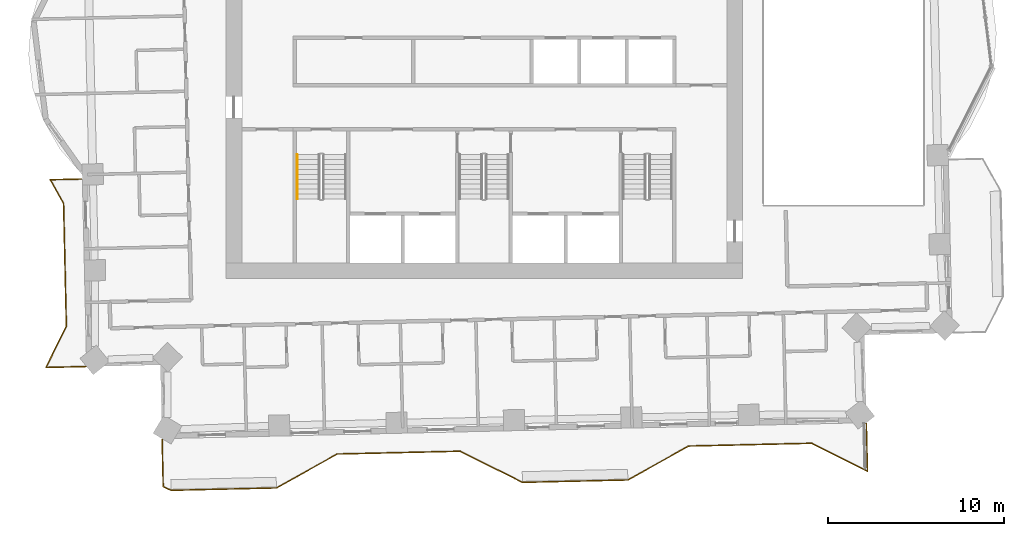
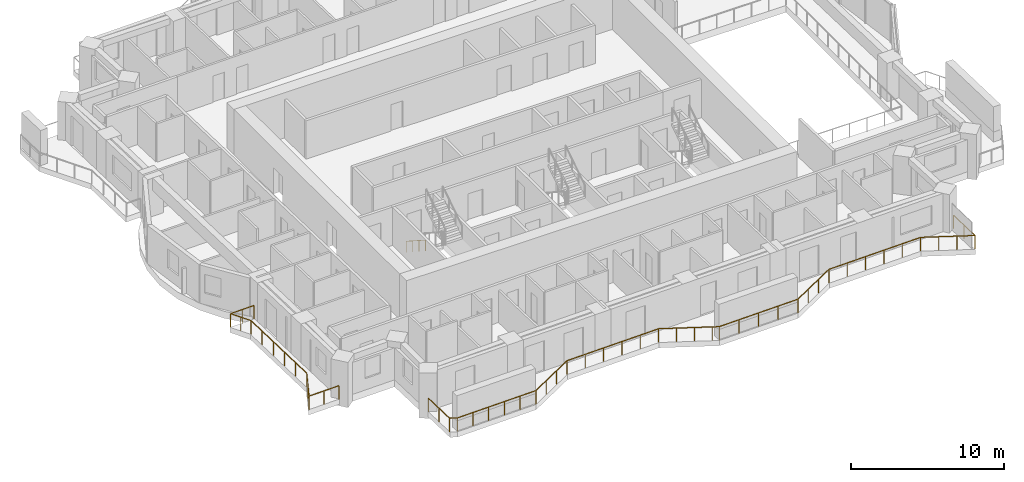
# One storey, part 13 of 16: 3 railings.
"""IFC4 building model written with IfcOpenShell, lengths in metres."""

from ifc_helpers import new_model, si_unit, direction, frame, origin, origin_2d, place, context, subcontext, project, spatial, rectangle, circle, extrude, material, type_object, element, save


model = new_model("IFC4")

# Units and contexts
model_context = context("Model", 3, precision=1e-05, world=origin(), true_north=direction((0.0, 1.0)))
body_context = subcontext(model_context, "Body", "Model", "MODEL_VIEW")
ifc_project = project(units=[si_unit("LENGTHUNIT", "METRE"), si_unit("AREAUNIT", "SQUARE_METRE"), si_unit("VOLUMEUNIT", "CUBIC_METRE"), si_unit("PLANEANGLEUNIT", "RADIAN"), si_unit("MASSUNIT", "GRAM", prefix="KILO")], contexts=[model_context])

# Site, building, storey
site_placement = place(None, origin())
site = spatial("IfcSite", under=ifc_project, at=site_placement, CompositionType="ELEMENT")
building_placement = place(site_placement, origin())
building = spatial("IfcBuilding", under=site, at=building_placement, Name="Mangrove Gate Tower", CompositionType="ELEMENT")
storey_placement = place(building_placement, frame((0.0, 0.0, 189.699951171875)))
storey = spatial("IfcBuildingStorey", under=building, at=storey_placement, Name="L48", CompositionType="ELEMENT", Elevation=189.699951171875)

# Railings
ifc_material_1 = material(Name="Stainless steel grade 316 with laminated glass infill", Category="steel")
railing_type_1 = type_object("IfcRailingType", Name="Balcony guard 1100", PredefinedType="GUARDRAIL", material=ifc_material_1)
railing_1_placement = place(storey_placement, frame((-22.912109375, -6.033935546875, 0.0)))
element("IfcRailing", 1, at=railing_1_placement, inside=storey, type_object=railing_type_1, Name="GUARD L48 W2", PredefinedType="GUARDRAIL", context=body_context, shape_type="SweptSolid", body=[
    extrude(rectangle(XDim=0.048095703125, YDim=0.048095703125, at=origin_2d()), frame((0.0, 0.0, 1.076171875), z_axis=(-0.999748773553, -0.02241405316, 0.0), x_axis=(0.02241405316, -0.999748773553, 0.0)), (0.0, 0.0, 1.0), 1.786376953125),
    extrude(rectangle(XDim=0.048095703125, YDim=0.048095703125, at=origin_2d()), frame((-1.785888671875, -0.0400390625, 1.076171875), z_axis=(0.486962351773, -0.873422960516, 0.0), x_axis=(0.873422960516, 0.486962351773, 0.0)), (0.0, 0.0, 1.0), 1.5546875),
    extrude(rectangle(XDim=0.048095703125, YDim=0.048095703125, at=origin_2d()), frame((-1.02880859375, -1.39794921875, 1.076171875), z_axis=(0.022705559911, -0.999742195543, 0.0), x_axis=(0.999742195543, 0.022705559911, 0.0)), (0.0, 0.0, 1.0), 6.999755859375),
    extrude(rectangle(XDim=0.048095703125, YDim=0.048095703125, at=origin_2d()), frame((-0.869873046875, -8.39599609375, 1.076171875), z_axis=(-0.447063441947, -0.894502252023, 0.0), x_axis=(0.894502252023, -0.447063441947, 0.0)), (0.0, 0.0, 1.0), 2.6015625),
    extrude(rectangle(XDim=0.048095703125, YDim=0.048095703125, at=origin_2d()), frame((-2.032958984375, -10.72314453125, 1.076171875), z_axis=(0.999738891828, 0.022850561644, 0.0), x_axis=(-0.022850561644, 0.999738891828, 0.0)), (0.0, 0.0, 1.0), 2.275634765625),
    extrude(rectangle(XDim=0.0419921875, YDim=0.0419921875, at=origin_2d()), origin(), (0.0, 0.0, 1.0), 1.052001953125),
    extrude(rectangle(XDim=0.0419921875, YDim=0.0419921875, at=origin_2d()), frame((-0.89306640625, -0.02001953125, 0.0)), (0.0, 0.0, 1.0), 1.052001953125),
    extrude(rectangle(XDim=0.0419921875, YDim=0.0419921875, at=origin_2d()), frame((-1.785888671875, -0.0400390625, 0.0)), (0.0, 0.0, 1.0), 1.052001953125),
    extrude(rectangle(XDim=0.0419921875, YDim=0.0419921875, at=origin_2d()), frame((-1.4072265625, -0.718994140625, 0.0)), (0.0, 0.0, 1.0), 1.052001953125),
    extrude(rectangle(XDim=0.0419921875, YDim=0.0419921875, at=origin_2d()), frame((-1.02880859375, -1.39794921875, 0.0)), (0.0, 0.0, 1.0), 1.052001953125),
    extrude(rectangle(XDim=0.0419921875, YDim=0.0419921875, at=origin_2d()), frame((-0.9970703125, -2.797607421875, 0.0)), (0.0, 0.0, 1.0), 1.052001953125),
    extrude(rectangle(XDim=0.0419921875, YDim=0.0419921875, at=origin_2d()), frame((-0.96533203125, -4.197265625, 0.0)), (0.0, 0.0, 1.0), 1.052001953125),
    extrude(rectangle(XDim=0.0419921875, YDim=0.0419921875, at=origin_2d()), frame((-0.933349609375, -5.5966796875, 0.0)), (0.0, 0.0, 1.0), 1.052001953125),
    extrude(rectangle(XDim=0.0419921875, YDim=0.0419921875, at=origin_2d()), frame((-0.901611328125, -6.996337890625, 0.0)), (0.0, 0.0, 1.0), 1.052001953125),
    extrude(rectangle(XDim=0.0419921875, YDim=0.0419921875, at=origin_2d()), frame((-0.869873046875, -8.39599609375, 0.0)), (0.0, 0.0, 1.0), 1.052001953125),
    extrude(rectangle(XDim=0.0419921875, YDim=0.0419921875, at=origin_2d()), frame((-1.451416015625, -9.5595703125, 0.0)), (0.0, 0.0, 1.0), 1.052001953125),
    extrude(rectangle(XDim=0.0419921875, YDim=0.0419921875, at=origin_2d()), frame((-2.032958984375, -10.72314453125, 0.0)), (0.0, 0.0, 1.0), 1.052001953125),
    extrude(rectangle(XDim=0.0419921875, YDim=0.0419921875, at=origin_2d()), frame((-0.8955078125, -10.697265625, 0.0)), (0.0, 0.0, 1.0), 1.052001953125),
    extrude(rectangle(XDim=0.0419921875, YDim=0.0419921875, at=origin_2d()), frame((0.2421875, -10.671142578125, 0.0)), (0.0, 0.0, 1.0), 1.052001953125),
])
railing_2_placement = place(storey_placement, frame((-18.3349609375, -20.847900390625, 0.0)))
element("IfcRailing", 2, at=railing_2_placement, inside=storey, type_object=railing_type_1, Name="GUARD L48 S1", PredefinedType="GUARDRAIL", context=body_context, shape_type="SweptSolid", body=[
    extrude(rectangle(XDim=0.048095703125, YDim=0.048095703125, at=origin_2d()), frame((0.0, 0.0, 1.076171875), z_axis=(0.022793893877, -0.999740185449, 0.0), x_axis=(0.999740185449, 0.022793893877, 0.0)), (0.0, 0.0, 1.0), 2.677734375),
    extrude(rectangle(XDim=0.048095703125, YDim=0.048095703125, at=origin_2d()), frame((0.06103515625, -2.677001953125, 1.076171875), z_axis=(0.894623509466, -0.446820742928, 0.0), x_axis=(0.446820742928, 0.894623509466, 0.0)), (0.0, 0.0, 1.0), 0.497314453125),
    extrude(rectangle(XDim=0.048095703125, YDim=0.048095703125, at=origin_2d()), frame((0.505859375, -2.899169921875, 1.076171875), z_axis=(0.999743178102, 0.022662255828, 0.0), x_axis=(-0.022662255828, 0.999743178102, 0.0)), (0.0, 0.0, 1.0), 6.00048828125),
    extrude(rectangle(XDim=0.048095703125, YDim=0.048095703125, at=origin_2d()), frame((6.5048828125, -2.76318359375, 1.076171875), z_axis=(0.873230657876, 0.487307108654, 0.0), x_axis=(-0.487307108654, 0.873230657876, 0.0)), (0.0, 0.0, 1.0), 3.958984375),
    extrude(rectangle(XDim=0.048095703125, YDim=0.048095703125, at=origin_2d()), frame((9.9619140625, -0.833984375, 1.076171875), z_axis=(0.999742195543, 0.022705559911, 0.0), x_axis=(-0.022705559911, 0.999742195543, 0.0)), (0.0, 0.0, 1.0), 6.999755859375),
    extrude(rectangle(XDim=0.048095703125, YDim=0.048095703125, at=origin_2d()), frame((16.9599609375, -0.675048828125, 1.076171875), z_axis=(0.894413264318, -0.447241447779, 0.0), x_axis=(0.447241447779, 0.894413264318, 0.0)), (0.0, 0.0, 1.0), 3.506103515625),
    extrude(rectangle(XDim=0.048095703125, YDim=0.048095703125, at=origin_2d()), frame((20.095947265625, -2.2431640625, 1.076171875), z_axis=(0.894103592415, -0.447860208135, 0.0), x_axis=(0.447860208135, 0.894103592415, 0.0)), (0.0, 0.0, 1.0), 0.452880859375),
    extrude(rectangle(XDim=0.048095703125, YDim=0.048095703125, at=origin_2d()), frame((20.5009765625, -2.446044921875, 1.076171875), z_axis=(0.999739392852, 0.022828630714, 0.0), x_axis=(-0.022828630714, 0.999739392852, 0.0)), (0.0, 0.0, 1.0), 5.99951171875),
    extrude(rectangle(XDim=0.048095703125, YDim=0.048095703125, at=origin_2d()), frame((26.4990234375, -2.30908203125, 1.076171875), z_axis=(0.873420366986, 0.486967003537, 0.0), x_axis=(-0.486967003537, 0.873420366986, 0.0)), (0.0, 0.0, 1.0), 3.959228515625),
    extrude(rectangle(XDim=0.048095703125, YDim=0.048095703125, at=origin_2d()), frame((29.95703125, -0.381103515625, 1.076171875), z_axis=(0.999742195543, 0.022705559911, 0.0), x_axis=(-0.022705559911, 0.999742195543, 0.0)), (0.0, 0.0, 1.0), 6.999755859375),
    extrude(rectangle(XDim=0.048095703125, YDim=0.048095703125, at=origin_2d()), frame((36.955078125, -0.22216796875, 1.076171875), z_axis=(0.894495919074, -0.447076112938, 0.0), x_axis=(0.447076112938, 0.894495919074, 0.0)), (0.0, 0.0, 1.0), 3.5517578125),
    extrude(rectangle(XDim=0.048095703125, YDim=0.048095703125, at=origin_2d()), frame((40.132080078125, -1.81005859375, 1.076171875), z_axis=(-0.022800930802, 0.999740024984, 0.0), x_axis=(-0.999740024984, -0.022800930802, 0.0)), (0.0, 0.0, 1.0), 2.7197265625),
    extrude(rectangle(XDim=0.0419921875, YDim=0.0419921875, at=origin_2d()), origin(), (0.0, 0.0, 1.0), 1.052001953125),
    extrude(rectangle(XDim=0.0419921875, YDim=0.0419921875, at=origin_2d()), frame((0.030517578125, -1.33837890625, 0.0)), (0.0, 0.0, 1.0), 1.052001953125),
    extrude(rectangle(XDim=0.0419921875, YDim=0.0419921875, at=origin_2d()), frame((0.06103515625, -2.677001953125, 0.0)), (0.0, 0.0, 1.0), 1.052001953125),
    extrude(rectangle(XDim=0.0419921875, YDim=0.0419921875, at=origin_2d()), frame((0.505859375, -2.899169921875, 0.0)), (0.0, 0.0, 1.0), 1.052001953125),
    extrude(rectangle(XDim=0.0419921875, YDim=0.0419921875, at=origin_2d()), frame((1.70556640625, -2.8720703125, 0.0)), (0.0, 0.0, 1.0), 1.052001953125),
    extrude(rectangle(XDim=0.0419921875, YDim=0.0419921875, at=origin_2d()), frame((2.905517578125, -2.8447265625, 0.0)), (0.0, 0.0, 1.0), 1.052001953125),
    extrude(rectangle(XDim=0.0419921875, YDim=0.0419921875, at=origin_2d()), frame((4.105224609375, -2.817626953125, 0.0)), (0.0, 0.0, 1.0), 1.052001953125),
    extrude(rectangle(XDim=0.0419921875, YDim=0.0419921875, at=origin_2d()), frame((5.30517578125, -2.790283203125, 0.0)), (0.0, 0.0, 1.0), 1.052001953125),
    extrude(rectangle(XDim=0.0419921875, YDim=0.0419921875, at=origin_2d()), frame((6.5048828125, -2.76318359375, 0.0)), (0.0, 0.0, 1.0), 1.052001953125),
    extrude(rectangle(XDim=0.0419921875, YDim=0.0419921875, at=origin_2d()), frame((7.6572265625, -2.1201171875, 0.0)), (0.0, 0.0, 1.0), 1.052001953125),
    extrude(rectangle(XDim=0.0419921875, YDim=0.0419921875, at=origin_2d()), frame((8.8095703125, -1.47705078125, 0.0)), (0.0, 0.0, 1.0), 1.052001953125),
    extrude(rectangle(XDim=0.0419921875, YDim=0.0419921875, at=origin_2d()), frame((9.9619140625, -0.833984375, 0.0)), (0.0, 0.0, 1.0), 1.052001953125),
    extrude(rectangle(XDim=0.0419921875, YDim=0.0419921875, at=origin_2d()), frame((11.361572265625, -0.80224609375, 0.0)), (0.0, 0.0, 1.0), 1.052001953125),
    extrude(rectangle(XDim=0.0419921875, YDim=0.0419921875, at=origin_2d()), frame((12.76123046875, -0.7705078125, 0.0)), (0.0, 0.0, 1.0), 1.052001953125),
    extrude(rectangle(XDim=0.0419921875, YDim=0.0419921875, at=origin_2d()), frame((14.16064453125, -0.738525390625, 0.0)), (0.0, 0.0, 1.0), 1.052001953125),
    extrude(rectangle(XDim=0.0419921875, YDim=0.0419921875, at=origin_2d()), frame((15.560302734375, -0.706787109375, 0.0)), (0.0, 0.0, 1.0), 1.052001953125),
    extrude(rectangle(XDim=0.0419921875, YDim=0.0419921875, at=origin_2d()), frame((16.9599609375, -0.675048828125, 0.0)), (0.0, 0.0, 1.0), 1.052001953125),
    extrude(rectangle(XDim=0.0419921875, YDim=0.0419921875, at=origin_2d()), frame((18.00537109375, -1.19775390625, 0.0)), (0.0, 0.0, 1.0), 1.052001953125),
    extrude(rectangle(XDim=0.0419921875, YDim=0.0419921875, at=origin_2d()), frame((19.050537109375, -1.720458984375, 0.0)), (0.0, 0.0, 1.0), 1.052001953125),
    extrude(rectangle(XDim=0.0419921875, YDim=0.0419921875, at=origin_2d()), frame((20.095947265625, -2.2431640625, 0.0)), (0.0, 0.0, 1.0), 1.052001953125),
    extrude(rectangle(XDim=0.0419921875, YDim=0.0419921875, at=origin_2d()), frame((20.5009765625, -2.446044921875, 0.0)), (0.0, 0.0, 1.0), 1.052001953125),
    extrude(rectangle(XDim=0.0419921875, YDim=0.0419921875, at=origin_2d()), frame((22.00048828125, -2.411865234375, 0.0)), (0.0, 0.0, 1.0), 1.052001953125),
    extrude(rectangle(XDim=0.0419921875, YDim=0.0419921875, at=origin_2d()), frame((23.5, -2.37744140625, 0.0)), (0.0, 0.0, 1.0), 1.052001953125),
    extrude(rectangle(XDim=0.0419921875, YDim=0.0419921875, at=origin_2d()), frame((24.99951171875, -2.34326171875, 0.0)), (0.0, 0.0, 1.0), 1.052001953125),
    extrude(rectangle(XDim=0.0419921875, YDim=0.0419921875, at=origin_2d()), frame((26.4990234375, -2.30908203125, 0.0)), (0.0, 0.0, 1.0), 1.052001953125),
    extrude(rectangle(XDim=0.0419921875, YDim=0.0419921875, at=origin_2d()), frame((27.651611328125, -1.66650390625, 0.0)), (0.0, 0.0, 1.0), 1.052001953125),
    extrude(rectangle(XDim=0.0419921875, YDim=0.0419921875, at=origin_2d()), frame((28.804443359375, -1.023681640625, 0.0)), (0.0, 0.0, 1.0), 1.052001953125),
    extrude(rectangle(XDim=0.0419921875, YDim=0.0419921875, at=origin_2d()), frame((29.95703125, -0.381103515625, 0.0)), (0.0, 0.0, 1.0), 1.052001953125),
    extrude(rectangle(XDim=0.0419921875, YDim=0.0419921875, at=origin_2d()), frame((31.356689453125, -0.349365234375, 0.0)), (0.0, 0.0, 1.0), 1.052001953125),
    extrude(rectangle(XDim=0.0419921875, YDim=0.0419921875, at=origin_2d()), frame((32.75634765625, -0.317626953125, 0.0)), (0.0, 0.0, 1.0), 1.052001953125),
    extrude(rectangle(XDim=0.0419921875, YDim=0.0419921875, at=origin_2d()), frame((34.15576171875, -0.28564453125, 0.0)), (0.0, 0.0, 1.0), 1.052001953125),
    extrude(rectangle(XDim=0.0419921875, YDim=0.0419921875, at=origin_2d()), frame((35.555419921875, -0.25390625, 0.0)), (0.0, 0.0, 1.0), 1.052001953125),
    extrude(rectangle(XDim=0.0419921875, YDim=0.0419921875, at=origin_2d()), frame((36.955078125, -0.22216796875, 0.0)), (0.0, 0.0, 1.0), 1.052001953125),
    extrude(rectangle(XDim=0.0419921875, YDim=0.0419921875, at=origin_2d()), frame((38.01416015625, -0.75146484375, 0.0)), (0.0, 0.0, 1.0), 1.052001953125),
    extrude(rectangle(XDim=0.0419921875, YDim=0.0419921875, at=origin_2d()), frame((39.072998046875, -1.28076171875, 0.0)), (0.0, 0.0, 1.0), 1.052001953125),
    extrude(rectangle(XDim=0.0419921875, YDim=0.0419921875, at=origin_2d()), frame((40.132080078125, -1.81005859375, 0.0)), (0.0, 0.0, 1.0), 1.052001953125),
    extrude(rectangle(XDim=0.0419921875, YDim=0.0419921875, at=origin_2d()), frame((40.10107421875, -0.45068359375, 0.0)), (0.0, 0.0, 1.0), 1.052001953125),
    extrude(rectangle(XDim=0.0419921875, YDim=0.0419921875, at=origin_2d()), frame((40.070068359375, 0.908935546875, 0.0)), (0.0, 0.0, 1.0), 1.052001953125),
])
ifc_material_2 = material(Name="Stainless steel 316", Category="steel")
railing_type_2 = type_object("IfcRailingType", Name="Core stair handrail 900", PredefinedType="HANDRAIL", material=ifc_material_2)
railing_3_placement = place(storey_placement, frame((-10.64990234375, -4.64990234375, 0.179931640625)))
element("IfcRailing", 3, at=railing_3_placement, inside=storey, type_object=railing_type_2, Name="L48 ST1 stair handrail 1", PredefinedType="HANDRAIL", context=body_context, shape_type="SweptSolid", body=[
    extrude(circle(Radius=0.02392578125, at=origin_2d()), frame((0.0, 0.0, 0.8759765625), z_axis=(0.0, -0.841162588446, 0.540782303519), x_axis=(1.0, 0.0, 0.0)), (0.0, 0.0, 1.0), 2.995849609375),
    extrude(circle(Radius=0.02099609375, at=origin_2d()), origin(), (0.0, 0.0, 1.0), 0.851806640625),
    extrude(circle(Radius=0.02099609375, at=origin_2d()), frame((0.0, -0.840087890625, 0.5400390625)), (0.0, 0.0, 1.0), 0.851806640625),
    extrude(circle(Radius=0.02099609375, at=origin_2d()), frame((0.0, -1.679931640625, 1.080078125)), (0.0, 0.0, 1.0), 0.851806640625),
    extrude(circle(Radius=0.02099609375, at=origin_2d()), frame((0.0, -2.52001953125, 1.6201171875)), (0.0, 0.0, 1.0), 0.851806640625),
])

save(model, "model.ifc")
